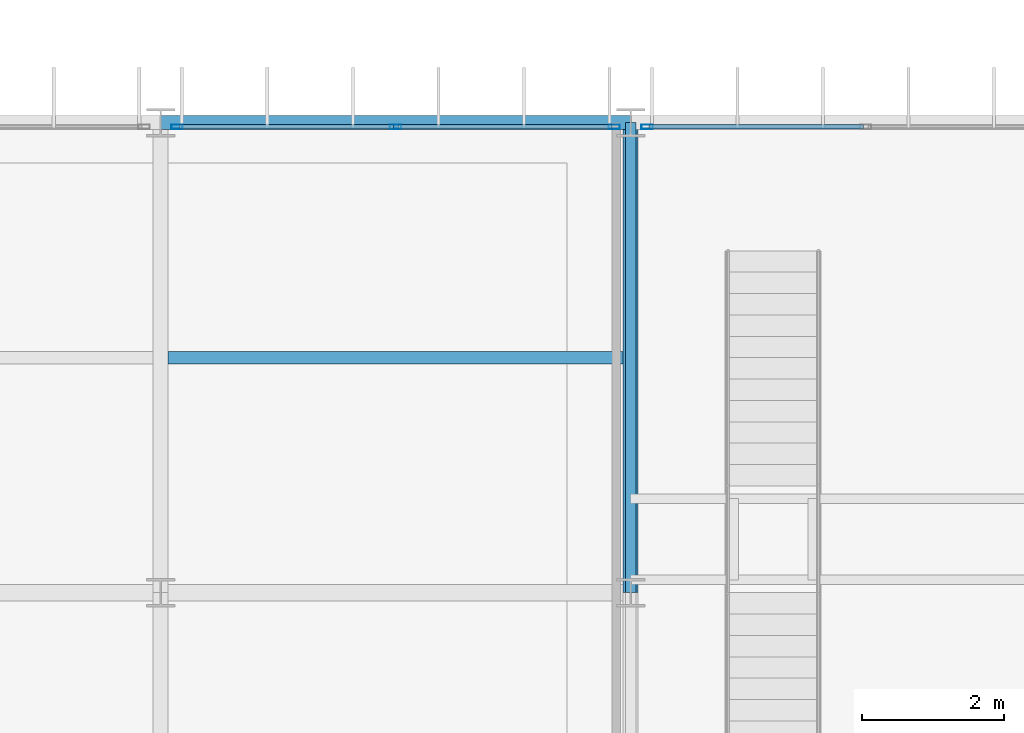
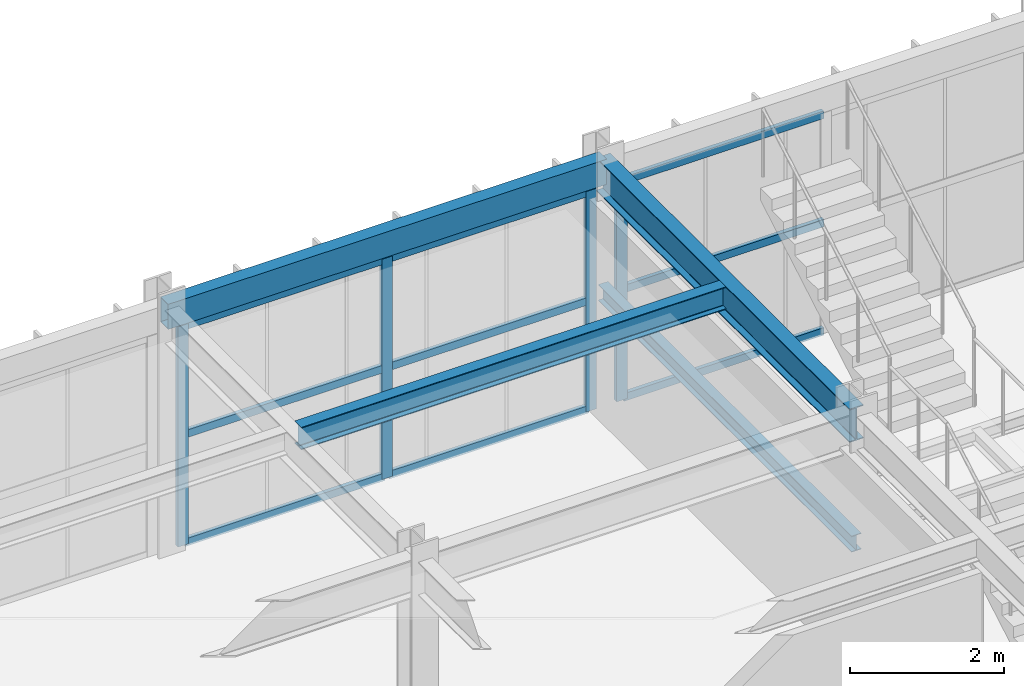
# One storey, part 92 of 148: 13 members, 4 beams, 2 elements without a shape of their own.
"""IFC4 building model written with IfcOpenShell, lengths in metres."""

from ifc_helpers import new_model, si_unit, direction, frame, origin, origin_2d, place, context, subcontext, project, spatial, hollow_rectangle, i_section, extrude, material, material_profile, profile_set, type_object, element, aggregate, save


model = new_model("IFC4")

# Units and contexts
model_context = context("Model", 3, precision=1e-05, world=origin(), true_north=direction((0.0, 1.0)))
body_context = subcontext(model_context, "Body", "Model", "MODEL_VIEW")
ifc_project = project(units=[si_unit("LENGTHUNIT", "METRE"), si_unit("AREAUNIT", "SQUARE_METRE"), si_unit("VOLUMEUNIT", "CUBIC_METRE"), si_unit("PLANEANGLEUNIT", "RADIAN"), si_unit("MASSUNIT", "GRAM", prefix="KILO")], contexts=[model_context])

# Site, building, storey
site_placement = place(None, origin())
site = spatial("IfcSite", under=ifc_project, at=site_placement, CompositionType="ELEMENT")
building_placement = place(site_placement, origin())
building = spatial("IfcBuilding", under=site, at=building_placement, Name="Karori Crest Natural Sciences Institute", CompositionType="ELEMENT")
storey_placement = place(building_placement, frame((0.0, 0.0, 4.89990234375)))
storey = spatial("IfcBuildingStorey", under=building, at=storey_placement, Name="L01", CompositionType="ELEMENT", Elevation=4.89990234375)

# Beams
ifc_material_1 = material(Name="Structural steel AS/NZS 3679.1 Grade 350", Category="steel")
ifc_material_profile_1 = material_profile(ifc_material_1, i_section(OverallWidth=0.208984375, OverallDepth=0.532958984375, WebThickness=0.01025390625, FlangeThickness=0.015625, FilletRadius=0.013916015625, at=origin_2d()), Name="530UB92.4")
ifc_profile_set_1 = profile_set([ifc_material_profile_1], Name="Structural steel AS/NZS 3679.1 Grade 350")
beam_type_1 = type_object("IfcBeamType", Name="BT-05", PredefinedType="BEAM", material=ifc_profile_set_1)
beam_1_placement = place(storey_placement, frame((143.199951171875, 14.0, 3.653564453125), z_axis=(0.0, 1.0, 0.0), x_axis=(-1.0, 0.0, 0.0)))
element("IfcBeam", 1, at=beam_1_placement, inside=storey, type_object=beam_type_1, Name="Beam B-2162", PredefinedType="BEAM", context=body_context, shape_type="SweptSolid", body=[
    extrude(i_section(OverallWidth=0.208984375, OverallDepth=0.532958984375, WebThickness=0.01025390625, FlangeThickness=0.015625, FilletRadius=0.013916015625, at=origin_2d()), origin(), (0.0, 0.0, 1.0), 6.60009765625),
])
ifc_material_profile_2 = material_profile(ifc_material_1, i_section(OverallWidth=0.172119140625, OverallDepth=0.35888671875, WebThickness=0.008056640625, FlangeThickness=0.012939453125, FilletRadius=0.010986328125, at=origin_2d()), Name="360UB56.7")
ifc_profile_set_2 = profile_set([ifc_material_profile_2], Name="Structural steel AS/NZS 3679.1 Grade 350")
beam_type_2 = type_object("IfcBeamType", Name="BT-08", PredefinedType="BEAM", material=ifc_profile_set_2)
beam_2_placement = place(storey_placement, frame((136.70458984375, 17.300048828125, 3.740478515625), z_axis=(1.0, 0.0, 0.0), x_axis=(0.0, 1.0, 0.0)))
element("IfcBeam", 2, at=beam_2_placement, inside=storey, type_object=beam_type_2, Name="Beam B-2186", PredefinedType="BEAM", context=body_context, shape_type="SweptSolid", body=[
    extrude(i_section(OverallWidth=0.172119140625, OverallDepth=0.35888671875, WebThickness=0.008056640625, FlangeThickness=0.012939453125, FilletRadius=0.010986328125, at=origin_2d()), origin(), (0.0, 0.0, 1.0), 6.390869140625),
])
ifc_material_profile_3 = material_profile(ifc_material_1, i_section(OverallWidth=0.14599609375, OverallDepth=0.256103515625, WebThickness=0.00634765625, FlangeThickness=0.010986328125, FilletRadius=0.009033203125, at=origin_2d()), Name="250UB37.3")
ifc_profile_set_3 = profile_set([ifc_material_profile_3], Name="Structural steel AS/NZS 3679.1 Grade 350")
beam_type_3 = type_object("IfcBeamType", Name="BT-11-IL", PredefinedType="BEAM", material=ifc_profile_set_3)
beam_3_placement = place(storey_placement, frame((143.199951171875, 14.0, 1.76220703125), z_axis=(0.0, 1.0, 0.0), x_axis=(-1.0, 0.0, 0.0)))
element("IfcBeam", 3, at=beam_3_placement, inside=storey, type_object=beam_type_3, Name="Stair stringer girder ST-14", PredefinedType="BEAM", context=body_context, shape_type="SweptSolid", body=[
    extrude(i_section(OverallWidth=0.14599609375, OverallDepth=0.256103515625, WebThickness=0.00634765625, FlangeThickness=0.010986328125, FilletRadius=0.009033203125, at=origin_2d()), origin(), (0.0, 0.0, 1.0), 6.60009765625),
])
ifc_material_2 = material(Name="Hollow structural steel AS/NZS 1163 Grade C350", Category="steel")
ifc_material_profile_4 = material_profile(ifc_material_2, hollow_rectangle(XDim=0.199951171875, YDim=0.39990234375, WallThickness=0.012451171875, at=origin_2d()), Name="RHS400x200x12.5")
ifc_profile_set_4 = profile_set([ifc_material_profile_4], Name="Hollow structural steel AS/NZS 1163 Grade C350")
beam_type_4 = type_object("IfcBeamType", Name="BT-14", PredefinedType="SPANDREL", material=ifc_profile_set_4)
beam_4_placement = place(storey_placement, frame((136.60009765625, 20.60009765625, 3.72021484375), z_axis=(1.0, 0.0, 0.0), x_axis=(0.0, 1.0, 0.0)))
element("IfcBeam", 4, at=beam_4_placement, inside=storey, type_object=beam_type_4, Name="Beam B-2138", PredefinedType="SPANDREL", context=body_context, shape_type="SweptSolid", body=[
    extrude(hollow_rectangle(XDim=0.199951171875, YDim=0.39990234375, WallThickness=0.012451171875, at=origin_2d()), origin(), (0.0, 0.0, 1.0), 6.599853515625),
])

# Curtain wall, members
ifc_material_3 = material(Name="Anodised architectural aluminium 6063-T6", Category="aluminium")
curtain_wall_type = type_object("IfcCurtainWallType", Name="CWT-20", PredefinedType="NOTDEFINED", material=ifc_material_3)
curtain_wall_1_placement = place(storey_placement, origin())
curtain_wall_1 = element("IfcCurtainWall", 5, at=curtain_wall_1_placement, inside=storey, type_object=curtain_wall_type, Name="Curtain wall CW-0309", PredefinedType="NOTDEFINED")
ifc_material_profile_5 = material_profile(ifc_material_3, hollow_rectangle(XDim=0.06494140625, YDim=0.159912109375, WallThickness=0.00390625, at=origin_2d()), Name="CWM160x65x4")
ifc_profile_set_5 = profile_set([ifc_material_profile_5], Name="Anodised architectural aluminium 6063-T6")
member_type_1 = type_object("IfcMemberType", Name="CWM-01", PredefinedType="MULLION", material=ifc_profile_set_5)
member_1_placement = place(storey_placement, frame((136.83056640625, 20.5400390625, 0.0), z_axis=(0.0, 0.0, 1.0), x_axis=(0.0, 1.0, 0.0)))
member_1 = element("IfcMember", 6, at=member_1_placement, type_object=member_type_1, Name="CW-0309 mullion 1", PredefinedType="MULLION", context=body_context, shape_type="SweptSolid", body=[
    extrude(hollow_rectangle(XDim=0.06494140625, YDim=0.159912109375, WallThickness=0.00390625, at=origin_2d()), origin(), (0.0, 0.0, 1.0), 3.505126953125),
])
member_2_placement = place(storey_placement, frame((139.89990234375, 20.5400390625, 0.0), z_axis=(0.0, 0.0, 1.0), x_axis=(0.0, 1.0, 0.0)))
member_2 = element("IfcMember", 7, at=member_2_placement, type_object=member_type_1, Name="CW-0309 mullion 2", PredefinedType="MULLION", context=body_context, shape_type="SweptSolid", body=[
    extrude(hollow_rectangle(XDim=0.06494140625, YDim=0.159912109375, WallThickness=0.00390625, at=origin_2d()), origin(), (0.0, 0.0, 1.0), 3.505126953125),
])
member_3_placement = place(storey_placement, frame((142.969482421875, 20.5400390625, 0.0), z_axis=(0.0, 0.0, 1.0), x_axis=(0.0, 1.0, 0.0)))
member_3 = element("IfcMember", 8, at=member_3_placement, type_object=member_type_1, Name="CW-0309 mullion 3", PredefinedType="MULLION", context=body_context, shape_type="SweptSolid", body=[
    extrude(hollow_rectangle(XDim=0.06494140625, YDim=0.159912109375, WallThickness=0.00390625, at=origin_2d()), origin(), (0.0, 0.0, 1.0), 3.505126953125),
])

# Curtain wall, member
curtain_wall_2_placement = place(storey_placement, origin())
curtain_wall_2 = element("IfcCurtainWall", 9, at=curtain_wall_2_placement, inside=storey, type_object=curtain_wall_type, Name="Curtain wall CW-0310", PredefinedType="NOTDEFINED")
member_4_placement = place(storey_placement, frame((143.430419921875, 20.5400390625, 0.0), z_axis=(0.0, 0.0, 1.0), x_axis=(0.0, 1.0, 0.0)))
member_4 = element("IfcMember", 10, at=member_4_placement, type_object=member_type_1, Name="CW-0310 mullion 1", PredefinedType="MULLION", context=body_context, shape_type="SweptSolid", body=[
    extrude(hollow_rectangle(XDim=0.06494140625, YDim=0.159912109375, WallThickness=0.00390625, at=origin_2d()), origin(), (0.0, 0.0, 1.0), 3.505126953125),
])

# Member
ifc_material_profile_6 = material_profile(ifc_material_3, hollow_rectangle(XDim=0.06005859375, YDim=0.1201171875, WallThickness=0.00390625, at=origin_2d()), Name="CWT120x60x4")
ifc_profile_set_6 = profile_set([ifc_material_profile_6], Name="Anodised architectural aluminium 6063-T6")
member_type_2 = type_object("IfcMemberType", Name="CWT-TR1", PredefinedType="USERDEFINED", material=ifc_profile_set_6)
member_5_placement = place(storey_placement, frame((136.863037109375, 20.5400390625, 0.030029296875), z_axis=(1.0, 0.0, 0.0), x_axis=(0.0, 1.0, 0.0)))
member_5 = element("IfcMember", 11, at=member_5_placement, type_object=member_type_2, Name="CW-0309 transom 1.1", ObjectType="TRANSOM", PredefinedType="USERDEFINED", context=body_context, shape_type="SweptSolid", body=[
    extrude(hollow_rectangle(XDim=0.06005859375, YDim=0.1201171875, WallThickness=0.00390625, at=origin_2d()), origin(), (0.0, 0.0, 1.0), 3.00439453125),
])

member_6_placement = place(storey_placement, frame((136.863037109375, 20.5400390625, 1.752685546875), z_axis=(1.0, 0.0, 0.0), x_axis=(0.0, 1.0, 0.0)))
member_6 = element("IfcMember", 12, at=member_6_placement, type_object=member_type_2, Name="CW-0309 transom 1.2", ObjectType="TRANSOM", PredefinedType="USERDEFINED", context=body_context, shape_type="SweptSolid", body=[
    extrude(hollow_rectangle(XDim=0.06005859375, YDim=0.1201171875, WallThickness=0.00390625, at=origin_2d()), origin(), (0.0, 0.0, 1.0), 3.00439453125),
])

member_7_placement = place(storey_placement, frame((136.863037109375, 20.5400390625, 3.47509765625), z_axis=(1.0, 0.0, 0.0), x_axis=(0.0, 1.0, 0.0)))
member_7 = element("IfcMember", 13, at=member_7_placement, type_object=member_type_2, Name="CW-0309 transom 1.3", ObjectType="TRANSOM", PredefinedType="USERDEFINED", context=body_context, shape_type="SweptSolid", body=[
    extrude(hollow_rectangle(XDim=0.06005859375, YDim=0.1201171875, WallThickness=0.00390625, at=origin_2d()), origin(), (0.0, 0.0, 1.0), 3.00439453125),
])

member_8_placement = place(storey_placement, frame((139.9326171875, 20.5400390625, 0.030029296875), z_axis=(1.0, 0.0, 0.0), x_axis=(0.0, 1.0, 0.0)))
member_8 = element("IfcMember", 14, at=member_8_placement, type_object=member_type_2, Name="CW-0309 transom 2.1", ObjectType="TRANSOM", PredefinedType="USERDEFINED", context=body_context, shape_type="SweptSolid", body=[
    extrude(hollow_rectangle(XDim=0.06005859375, YDim=0.1201171875, WallThickness=0.00390625, at=origin_2d()), origin(), (0.0, 0.0, 1.0), 3.00439453125),
])

member_9_placement = place(storey_placement, frame((139.9326171875, 20.5400390625, 1.752685546875), z_axis=(1.0, 0.0, 0.0), x_axis=(0.0, 1.0, 0.0)))
member_9 = element("IfcMember", 15, at=member_9_placement, type_object=member_type_2, Name="CW-0309 transom 2.2", ObjectType="TRANSOM", PredefinedType="USERDEFINED", context=body_context, shape_type="SweptSolid", body=[
    extrude(hollow_rectangle(XDim=0.06005859375, YDim=0.1201171875, WallThickness=0.00390625, at=origin_2d()), origin(), (0.0, 0.0, 1.0), 3.00439453125),
])

member_10_placement = place(storey_placement, frame((139.9326171875, 20.5400390625, 3.47509765625), z_axis=(1.0, 0.0, 0.0), x_axis=(0.0, 1.0, 0.0)))
member_10 = element("IfcMember", 16, at=member_10_placement, type_object=member_type_2, Name="CW-0309 transom 2.3", ObjectType="TRANSOM", PredefinedType="USERDEFINED", context=body_context, shape_type="SweptSolid", body=[
    extrude(hollow_rectangle(XDim=0.06005859375, YDim=0.1201171875, WallThickness=0.00390625, at=origin_2d()), origin(), (0.0, 0.0, 1.0), 3.00439453125),
])

aggregate(curtain_wall_1, [member_1, member_2, member_3, member_5, member_6, member_7, member_8, member_9, member_10])

member_11_placement = place(storey_placement, frame((143.462890625, 20.5400390625, 0.030029296875), z_axis=(1.0, 0.0, 0.0), x_axis=(0.0, 1.0, 0.0)))
member_11 = element("IfcMember", 17, at=member_11_placement, type_object=member_type_2, Name="CW-0310 transom 1.1", ObjectType="TRANSOM", PredefinedType="USERDEFINED", context=body_context, shape_type="SweptSolid", body=[
    extrude(hollow_rectangle(XDim=0.06005859375, YDim=0.1201171875, WallThickness=0.00390625, at=origin_2d()), origin(), (0.0, 0.0, 1.0), 3.004638671875),
])

member_12_placement = place(storey_placement, frame((143.462890625, 20.5400390625, 1.752685546875), z_axis=(1.0, 0.0, 0.0), x_axis=(0.0, 1.0, 0.0)))
member_12 = element("IfcMember", 18, at=member_12_placement, type_object=member_type_2, Name="CW-0310 transom 1.2", ObjectType="TRANSOM", PredefinedType="USERDEFINED", context=body_context, shape_type="SweptSolid", body=[
    extrude(hollow_rectangle(XDim=0.06005859375, YDim=0.1201171875, WallThickness=0.00390625, at=origin_2d()), origin(), (0.0, 0.0, 1.0), 3.004638671875),
])

member_13_placement = place(storey_placement, frame((143.462890625, 20.5400390625, 3.47509765625), z_axis=(1.0, 0.0, 0.0), x_axis=(0.0, 1.0, 0.0)))
member_13 = element("IfcMember", 19, at=member_13_placement, type_object=member_type_2, Name="CW-0310 transom 1.3", ObjectType="TRANSOM", PredefinedType="USERDEFINED", context=body_context, shape_type="SweptSolid", body=[
    extrude(hollow_rectangle(XDim=0.06005859375, YDim=0.1201171875, WallThickness=0.00390625, at=origin_2d()), origin(), (0.0, 0.0, 1.0), 3.004638671875),
])

aggregate(curtain_wall_2, [member_4, member_11, member_12, member_13])

save(model, "model.ifc")
